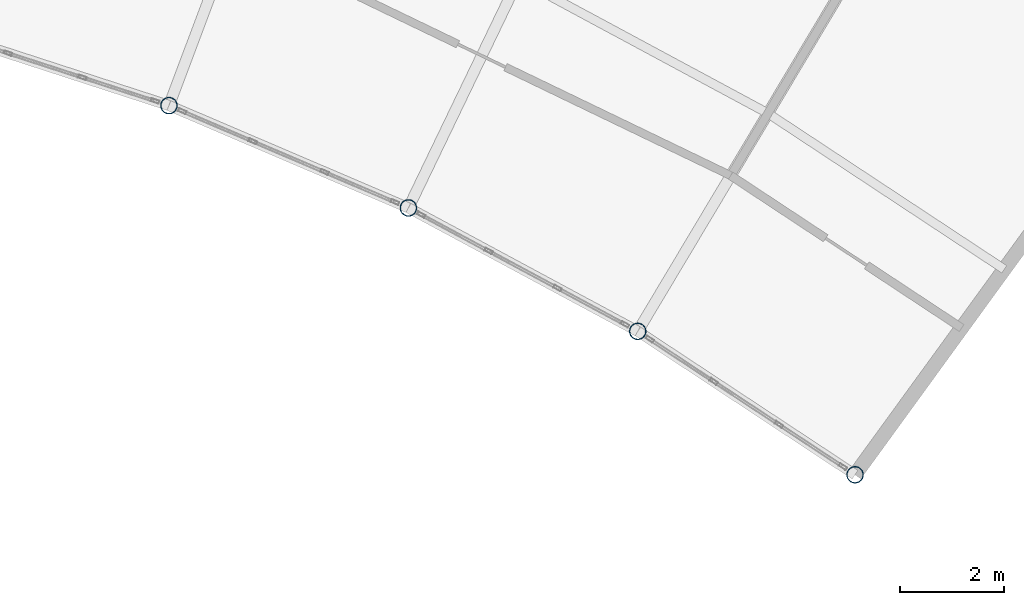
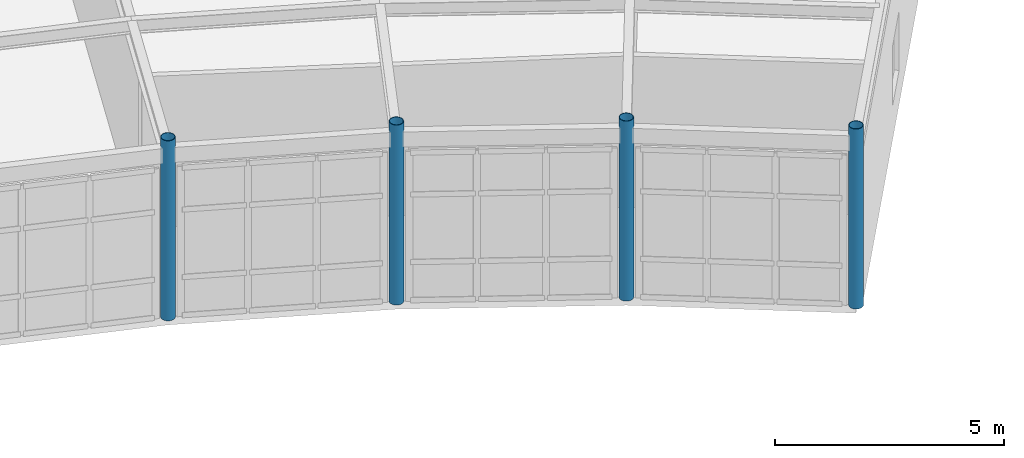
# One storey, part 14 of 116: 4 columns.
"""IFC4 building model written with IfcOpenShell, lengths in metres."""

from ifc_helpers import new_model, si_unit, direction, frame, origin, origin_2d, place, context, subcontext, project, spatial, hollow_circle, extrude, material, material_profile, profile_set, type_object, element, save


model = new_model("IFC4")

# Units and contexts
model_context = context("Model", 3, precision=1e-05, world=origin(), true_north=direction((0.0, 1.0)))
body_context = subcontext(model_context, "Body", "Model", "MODEL_VIEW")
ifc_project = project(units=[si_unit("LENGTHUNIT", "METRE"), si_unit("AREAUNIT", "SQUARE_METRE"), si_unit("VOLUMEUNIT", "CUBIC_METRE"), si_unit("PLANEANGLEUNIT", "RADIAN"), si_unit("MASSUNIT", "GRAM", prefix="KILO")], contexts=[model_context])

# Site, building, storey
site_placement = place(None, origin())
site = spatial("IfcSite", under=ifc_project, at=site_placement, CompositionType="ELEMENT")
building_placement = place(site_placement, origin())
building = spatial("IfcBuilding", under=site, at=building_placement, Name="Selat Folded Stagehouse", CompositionType="ELEMENT")
storey_placement = place(building_placement, frame((0.0, 0.0, 5.39990234375)))
storey = spatial("IfcBuildingStorey", under=building, at=storey_placement, Name="L01", CompositionType="ELEMENT", Elevation=5.39990234375)

# Columns
ifc_material = material(Name="Steel S355", Category="steel")
ifc_material_profile = material_profile(ifc_material, hollow_circle(Radius=0.161865234375, WallThickness=0.012451171875, at=origin_2d()), Name="CHS 323.9x12.5")
ifc_profile_set = profile_set([ifc_material_profile], Name="Steel S355")
column_type = type_object("IfcColumnType", Name="COL-CHS-323x12.5", PredefinedType="COLUMN", material=ifc_profile_set)
for number, where, z_axis, x_axis, name in (
    (1, (112.076904296875, 90.42919921875, 0.0), (0.0, 0.0, 1.0), (1.0, 0.0, 0.0), "L01 column STK-V6IN-11"),
    (2, (116.697509765625, 88.454345703125, 0.0), (0.0, 0.0, 1.0), (1.0, 0.0, 0.0), "L01 column STK-V6IN-12"),
    (3, (121.122314453125, 86.072998046875, 0.0), (0.0, 0.0, 1.0), (1.0, 0.0, 0.0), "L01 column STK-V6IN-13"),
    (4, (125.31591796875, 83.304931640625, 0.0), (0.0, 0.0, 1.0), (1.0, 0.0, 0.0), "L01 column STK-V6IN-14"),
):
    element("IfcColumn", number, at=place(storey_placement, frame(where, z_axis=z_axis, x_axis=x_axis)), inside=storey, type_object=column_type, Name=name, PredefinedType="COLUMN", context=body_context, shape_type="SweptSolid", body=[
        extrude(hollow_circle(Radius=0.161865234375, WallThickness=0.012451171875, at=origin_2d()), origin(), (0.0, 0.0, 1.0), 4.800048828125),
    ])

save(model, "model.ifc")
